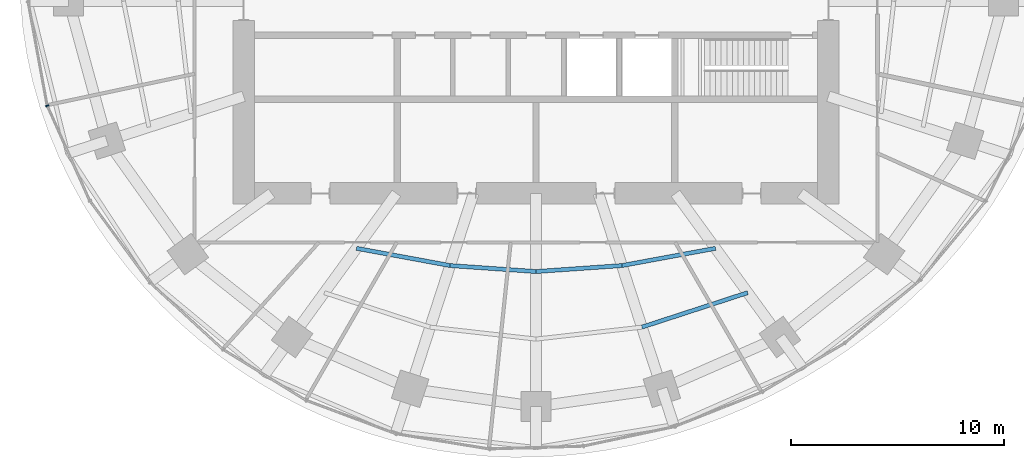
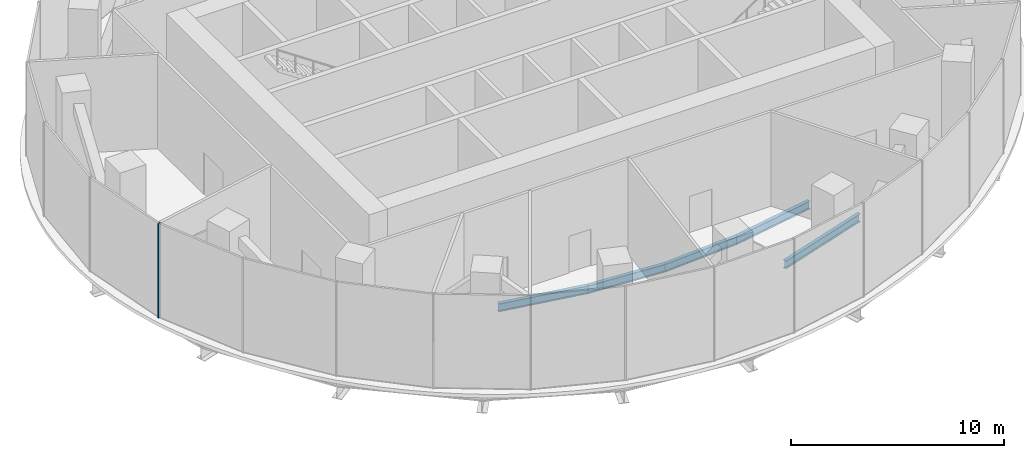
# One storey, part 3 of 13: 5 beams, 1 member, 1 element without a shape of its own.
"""IFC4 building model written with IfcOpenShell, lengths in metres."""

from ifc_helpers import new_model, si_unit, direction, frame, origin, origin_2d, place, context, subcontext, project, spatial, rectangle, i_section, extrude, material, material_profile, profile_set, type_object, element, aggregate, save


model = new_model("IFC4")

# Units and contexts
model_context = context("Model", 3, precision=1e-05, world=origin(), true_north=direction((0.0, 1.0)))
body_context = subcontext(model_context, "Body", "Model", "MODEL_VIEW")
ifc_project = project(units=[si_unit("LENGTHUNIT", "METRE"), si_unit("AREAUNIT", "SQUARE_METRE"), si_unit("VOLUMEUNIT", "CUBIC_METRE"), si_unit("PLANEANGLEUNIT", "RADIAN"), si_unit("MASSUNIT", "GRAM", prefix="KILO")], contexts=[model_context])

# Site, building, storey
site_placement = place(None, origin())
site = spatial("IfcSite", under=ifc_project, at=site_placement, CompositionType="ELEMENT")
building_placement = place(site_placement, origin())
building = spatial("IfcBuilding", under=site, at=building_placement, Name="Marramba Exchange Tower", CompositionType="ELEMENT")
storey_placement = place(building_placement, frame((0.0, 0.0, 246.199951171875)))
storey = spatial("IfcBuildingStorey", under=building, at=storey_placement, Name="L60", CompositionType="ELEMENT", Elevation=246.199951171875)

# Beams
ifc_material_1 = material(Name="Steel AS/NZS 3679.1 grade 300", Category="steel")
ifc_material_profile_1 = material_profile(ifc_material_1, i_section(OverallWidth=0.19091796875, OverallDepth=0.4599609375, WebThickness=0.010009765625, FlangeThickness=0.01611328125, FilletRadius=0.011474609375, at=origin_2d()), Name="460UB82.1")
ifc_profile_set_1 = profile_set([ifc_material_profile_1], Name="Steel AS/NZS 3679.1 grade 300")
beam_type = type_object("IfcBeamType", Name="Floor joist 460UB82.1", PredefinedType="JOIST", material=ifc_profile_set_1)
beam_1_placement = place(storey_placement, frame((-8.41162109375, -11.57763671875, -0.429931640625), z_axis=(0.983455754421, -0.181148500119, 0.0), x_axis=(0.181148500119, 0.983455754421, 0.0)))
element("IfcBeam", 1, at=beam_1_placement, inside=storey, type_object=beam_type, Name="Joist L60 bay 14 row 1", PredefinedType="JOIST", context=body_context, shape_type="SweptSolid", body=[
    extrude(i_section(OverallWidth=0.19091796875, OverallDepth=0.4599609375, WebThickness=0.010009765625, FlangeThickness=0.01611328125, FilletRadius=0.011474609375, at=origin_2d()), origin(), (0.0, 0.0, 1.0), 4.4609375),
])
for number, where, z_axis, x_axis, name in (
    (2, (-4.0244140625, -12.3857421875, -0.429931640625), (0.99759625901, -0.069294328838, 0.0), (0.069294328838, 0.99759625901, 0.0), "Joist L60 bay 15 row 1"),
    (3, (0.0, -12.665283203125, -0.429931640625), (0.99759625901, 0.069294328838, 0.0), (-0.069294328838, 0.99759625901, 0.0), "Joist L60 bay 16 row 1"),
):
    element("IfcBeam", number, at=place(storey_placement, frame(where, z_axis=z_axis, x_axis=x_axis)), inside=storey, type_object=beam_type, Name=name, PredefinedType="JOIST", context=body_context, shape_type="SweptSolid", body=[
        extrude(i_section(OverallWidth=0.19091796875, OverallDepth=0.4599609375, WebThickness=0.010009765625, FlangeThickness=0.01611328125, FilletRadius=0.011474609375, at=origin_2d()), origin(), (0.0, 0.0, 1.0), 4.0341796875),
    ])
beam_2_placement = place(storey_placement, frame((4.0244140625, -12.3857421875, -0.429931640625), z_axis=(0.983455754421, 0.181148500119, 0.0), x_axis=(-0.181148500119, 0.983455754421, 0.0)))
element("IfcBeam", 4, at=beam_2_placement, inside=storey, type_object=beam_type, Name="Joist L60 bay 17 row 1", PredefinedType="JOIST", context=body_context, shape_type="SweptSolid", body=[
    extrude(i_section(OverallWidth=0.19091796875, OverallDepth=0.4599609375, WebThickness=0.010009765625, FlangeThickness=0.01611328125, FilletRadius=0.011474609375, at=origin_2d()), origin(), (0.0, 0.0, 1.0), 4.4609375),
])
beam_3_placement = place(storey_placement, frame((4.9619140625, -15.271484375, -0.429931640625), z_axis=(0.950764024931, 0.309915744834, 0.0), x_axis=(-0.309915744834, 0.950764024931, 0.0)))
element("IfcBeam", 5, at=beam_3_placement, inside=storey, type_object=beam_type, Name="Joist L60 bay 17 row 2", PredefinedType="JOIST", context=body_context, shape_type="SweptSolid", body=[
    extrude(i_section(OverallWidth=0.19091796875, OverallDepth=0.4599609375, WebThickness=0.010009765625, FlangeThickness=0.01611328125, FilletRadius=0.011474609375, at=origin_2d()), origin(), (0.0, 0.0, 1.0), 5.2158203125),
])

# Curtain wall, member
ifc_material_2 = material(Name="Aluminium framing, bronze anodised", Category="aluminium")
curtain_wall_type = type_object("IfcCurtainWallType", Name="Plant floor louvred curtain wall", PredefinedType="USERDEFINED", material=ifc_material_2)
curtain_wall_placement = place(storey_placement, origin())
curtain_wall = element("IfcCurtainWall", 6, at=curtain_wall_placement, inside=storey, type_object=curtain_wall_type, Name="Curtain wall CW6 L60 F16-F20", ObjectType="RIBBON CURTAIN WALL", PredefinedType="USERDEFINED")
ifc_material_3 = material(Name="Aluminium mullion, bronze anodised", Category="aluminium")
ifc_material_profile_2 = material_profile(ifc_material_3, rectangle(XDim=0.159912109375, YDim=0.06005859375, at=origin_2d()), Name="CW6 mullion 60x160")
ifc_profile_set_2 = profile_set([ifc_material_profile_2], Name="Aluminium mullion, bronze anodised")
member_type = type_object("IfcMemberType", Name="Plant floor louvred curtain wall mullion", PredefinedType="MULLION", material=ifc_profile_set_2)
member_placement = place(storey_placement, frame((-22.90087890625, -4.897705078125, 0.0), z_axis=(0.0, 0.0, 1.0), x_axis=(0.913179510401, 0.407557580942, 0.0)))
member = element("IfcMember", 7, at=member_placement, type_object=member_type, Name="CW6 mullion 1", PredefinedType="MULLION", context=body_context, shape_type="SweptSolid", body=[
    extrude(rectangle(XDim=0.159912109375, YDim=0.06005859375, at=origin_2d()), origin(), (0.0, 0.0, 1.0), 5.400146484375),
])
aggregate(curtain_wall, [member])

save(model, "model.ifc")
